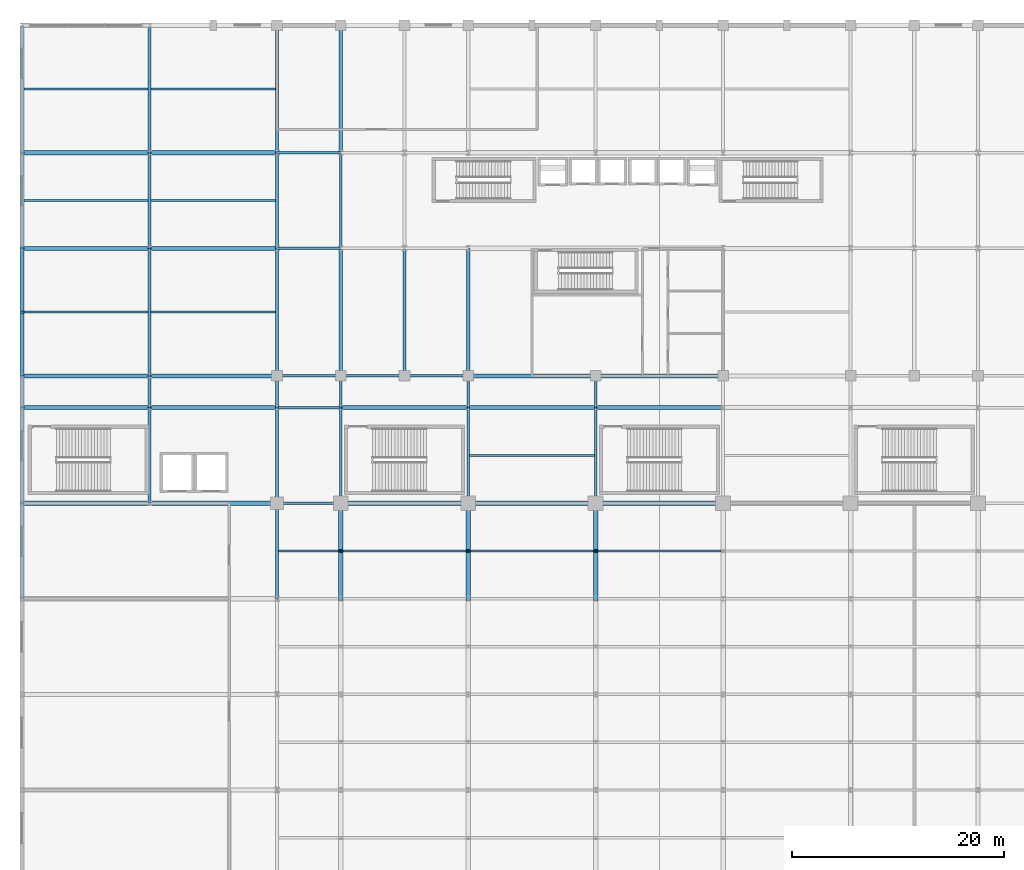
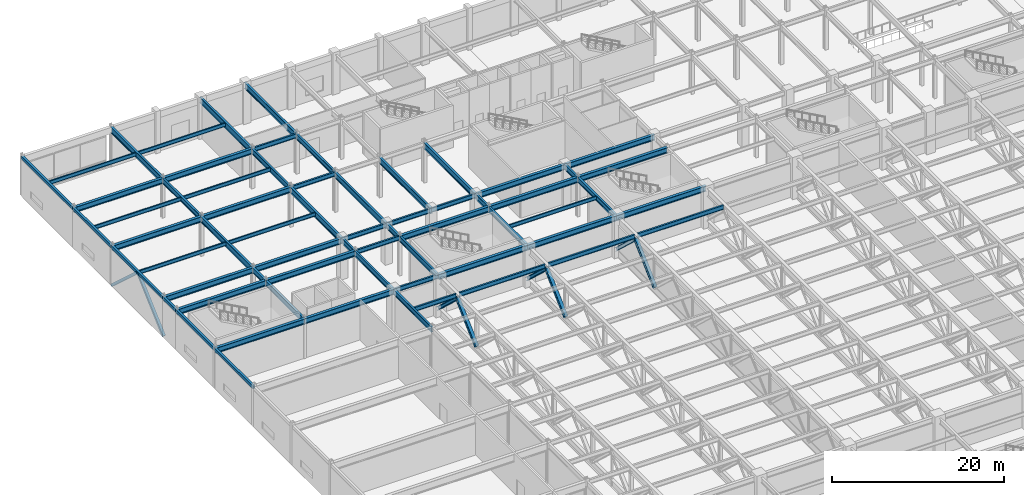
# One storey, part 42 of 108: 64 beams, 8 members.
"""IFC4 building model written with IfcOpenShell, lengths in metres."""

from ifc_helpers import new_model, si_unit, direction, frame, origin, origin_2d, place, context, subcontext, project, spatial, hollow_rectangle, i_section, extrude, material, material_profile, profile_set, type_object, element, save


model = new_model("IFC4")

# Units and contexts
model_context = context("Model", 3, precision=1e-05, world=origin(), true_north=direction((0.0, 1.0)))
body_context = subcontext(model_context, "Body", "Model", "MODEL_VIEW")
ifc_project = project(units=[si_unit("LENGTHUNIT", "METRE"), si_unit("AREAUNIT", "SQUARE_METRE"), si_unit("VOLUMEUNIT", "CUBIC_METRE"), si_unit("PLANEANGLEUNIT", "RADIAN"), si_unit("MASSUNIT", "GRAM", prefix="KILO")], contexts=[model_context])

# Site, building, storey
site_placement = place(None, origin())
site = spatial("IfcSite", under=ifc_project, at=site_placement, CompositionType="ELEMENT")
building_placement = place(site_placement, origin())
building = spatial("IfcBuilding", under=site, at=building_placement, Name="Kaldorvane Square Convention Centre", CompositionType="ELEMENT")
storey_placement = place(building_placement, frame((0.0, 0.0, 12.0)))
storey = spatial("IfcBuildingStorey", under=building, at=storey_placement, Name="L02", CompositionType="ELEMENT", Elevation=12.0)

# Beams
ifc_material_1 = material(Name="Steel ASTM A992 Gr. 50", Category="steel")
ifc_material_profile_1 = material_profile(ifc_material_1, i_section(OverallWidth=0.2303009033203125, OverallDepth=0.61749267578125, WebThickness=0.0131072998046875, FlangeThickness=0.0222015380859375, FilletRadius=0.0126953125, at=origin_2d()), Name="W24X94")
ifc_profile_set_1 = profile_set([ifc_material_profile_1], Name="Steel ASTM A992 Gr. 50")
beam_type_1 = type_object("IfcBeamType", Name="BM-GR-W24X94", PredefinedType="BEAM", material=ifc_profile_set_1)
for number, where, z_axis, x_axis, name in (
    (1, (24.0, 72.0, 5.3372039794921875), (1.0, 0.0, 0.0), (0.0, 1.0, 0.0), "Primary Girder (L02)"),
    (2, (24.0, 81.0, 5.3372039794921875), (1.0, 0.0, 0.0), (0.0, 1.0, 0.0), "Primary Girder (L02)"),
    (3, (24.0, 84.0, 5.3372039794921875), (1.0, 0.0, 0.0), (0.0, 1.0, 0.0), "Primary Girder (L02)"),
    (4, (30.0, 84.0, 5.3372039794921875), (1.0, 0.0, 0.0), (0.0, 1.0, 0.0), "Primary Girder (L02)"),
    (5, (36.0, 84.0, 5.3372039794921875), (1.0, 0.0, 0.0), (0.0, 1.0, 0.0), "Primary Girder (L02)"),
    (6, (24.0, 96.0, 5.3372039794921875), (1.0, 0.0, 0.0), (0.0, 1.0, 0.0), "Primary Girder (L02)"),
    (7, (24.0, 105.0, 5.3372039794921875), (1.0, 0.0, 0.0), (0.0, 1.0, 0.0), "Primary Girder (L02)"),
):
    element("IfcBeam", number, at=place(storey_placement, frame(where, z_axis=z_axis, x_axis=x_axis)), inside=storey, type_object=beam_type_1, Name=name, PredefinedType="BEAM", context=body_context, shape_type="SweptSolid", body=[
        extrude(i_section(OverallWidth=0.2303009033203125, OverallDepth=0.61749267578125, WebThickness=0.0131072998046875, FlangeThickness=0.0222015380859375, FilletRadius=0.0126953125, at=origin_2d()), origin(), (0.0, 0.0, 1.0), 6.0),
    ])
ifc_material_profile_2 = material_profile(ifc_material_1, i_section(OverallWidth=0.2666015625, OverallDepth=0.762298583984375, WebThickness=0.014404296875, FlangeThickness=0.0216064453125, FilletRadius=0.0164947509765625, at=origin_2d()), Name="W30X116")
ifc_profile_set_2 = profile_set([ifc_material_profile_2], Name="Steel ASTM A992 Gr. 50")
beam_type_2 = type_object("IfcBeamType", Name="BM-GR-W30X116", PredefinedType="BEAM", material=ifc_profile_set_2)
beam_1_placement = place(storey_placement, frame((12.0, 72.0, 5.264801025390625), z_axis=(0.0, 1.0, 0.0), x_axis=(-1.0, 0.0, 0.0)))
element("IfcBeam", 8, at=beam_1_placement, inside=storey, type_object=beam_type_2, Name="Transverse Girder (L02)", PredefinedType="BEAM", context=body_context, shape_type="SweptSolid", body=[
    extrude(i_section(OverallWidth=0.2666015625, OverallDepth=0.762298583984375, WebThickness=0.014404296875, FlangeThickness=0.0216064453125, FilletRadius=0.0164947509765625, at=origin_2d()), origin(), (0.0, 0.0, 1.0), 9.0),
])
beam_2_placement = place(storey_placement, frame((12.0, 81.0, 5.264801025390625), z_axis=(0.0, 1.0, 0.0), x_axis=(-1.0, 0.0, 0.0)))
element("IfcBeam", 9, at=beam_2_placement, inside=storey, type_object=beam_type_2, Name="Transverse Girder (L02)", PredefinedType="BEAM", context=body_context, shape_type="SweptSolid", body=[
    extrude(i_section(OverallWidth=0.2666015625, OverallDepth=0.762298583984375, WebThickness=0.014404296875, FlangeThickness=0.0216064453125, FilletRadius=0.0164947509765625, at=origin_2d()), origin(), (0.0, 0.0, 1.0), 3.0),
])
for number, where, z_axis, x_axis, name in (
    (10, (12.0, 96.0, 5.264801025390625), (0.0, 1.0, 0.0), (-1.0, 0.0, 0.0), "Transverse Girder (L02)"),
    (11, (24.0, 63.0, 5.264801025390625), (0.0, 1.0, 0.0), (-1.0, 0.0, 0.0), "Transverse Girder (L02)"),
    (12, (24.0, 72.0, 5.264801025390625), (0.0, 1.0, 0.0), (-1.0, 0.0, 0.0), "Transverse Girder (L02)"),
):
    element("IfcBeam", number, at=place(storey_placement, frame(where, z_axis=z_axis, x_axis=x_axis)), inside=storey, type_object=beam_type_2, Name=name, PredefinedType="BEAM", context=body_context, shape_type="SweptSolid", body=[
        extrude(i_section(OverallWidth=0.2666015625, OverallDepth=0.762298583984375, WebThickness=0.014404296875, FlangeThickness=0.0216064453125, FilletRadius=0.0164947509765625, at=origin_2d()), origin(), (0.0, 0.0, 1.0), 9.0),
    ])
beam_3_placement = place(storey_placement, frame((24.0, 81.0, 5.264801025390625), z_axis=(0.0, 1.0, 0.0), x_axis=(-1.0, 0.0, 0.0)))
element("IfcBeam", 13, at=beam_3_placement, inside=storey, type_object=beam_type_2, Name="Transverse Girder (L02)", PredefinedType="BEAM", context=body_context, shape_type="SweptSolid", body=[
    extrude(i_section(OverallWidth=0.2666015625, OverallDepth=0.762298583984375, WebThickness=0.014404296875, FlangeThickness=0.0216064453125, FilletRadius=0.0164947509765625, at=origin_2d()), origin(), (0.0, 0.0, 1.0), 3.0),
])
for number, where, z_axis, x_axis, name in (
    (14, (24.0, 96.0, 5.264801025390625), (0.0, 1.0, 0.0), (-1.0, 0.0, 0.0), "Transverse Girder (L02)"),
    (15, (30.0, 72.0, 5.264801025390625), (0.0, 1.0, 0.0), (-1.0, 0.0, 0.0), "Transverse Girder (L02)"),
):
    element("IfcBeam", number, at=place(storey_placement, frame(where, z_axis=z_axis, x_axis=x_axis)), inside=storey, type_object=beam_type_2, Name=name, PredefinedType="BEAM", context=body_context, shape_type="SweptSolid", body=[
        extrude(i_section(OverallWidth=0.2666015625, OverallDepth=0.762298583984375, WebThickness=0.014404296875, FlangeThickness=0.0216064453125, FilletRadius=0.0164947509765625, at=origin_2d()), origin(), (0.0, 0.0, 1.0), 9.0),
    ])
beam_4_placement = place(storey_placement, frame((30.0, 81.0, 5.264801025390625), z_axis=(0.0, 1.0, 0.0), x_axis=(-1.0, 0.0, 0.0)))
element("IfcBeam", 16, at=beam_4_placement, inside=storey, type_object=beam_type_2, Name="Transverse Girder (L02)", PredefinedType="BEAM", context=body_context, shape_type="SweptSolid", body=[
    extrude(i_section(OverallWidth=0.2666015625, OverallDepth=0.762298583984375, WebThickness=0.014404296875, FlangeThickness=0.0216064453125, FilletRadius=0.0164947509765625, at=origin_2d()), origin(), (0.0, 0.0, 1.0), 3.0),
])
for number, where, z_axis, x_axis, name in (
    (17, (30.0, 96.0, 5.264801025390625), (0.0, 1.0, 0.0), (-1.0, 0.0, 0.0), "Transverse Girder (L02)"),
    (18, (42.0, 72.0, 5.264801025390625), (0.0, 1.0, 0.0), (-1.0, 0.0, 0.0), "Transverse Girder (L02)"),
):
    element("IfcBeam", number, at=place(storey_placement, frame(where, z_axis=z_axis, x_axis=x_axis)), inside=storey, type_object=beam_type_2, Name=name, PredefinedType="BEAM", context=body_context, shape_type="SweptSolid", body=[
        extrude(i_section(OverallWidth=0.2666015625, OverallDepth=0.762298583984375, WebThickness=0.014404296875, FlangeThickness=0.0216064453125, FilletRadius=0.0164947509765625, at=origin_2d()), origin(), (0.0, 0.0, 1.0), 9.0),
    ])
beam_5_placement = place(storey_placement, frame((42.0, 81.0, 5.264801025390625), z_axis=(0.0, 1.0, 0.0), x_axis=(-1.0, 0.0, 0.0)))
element("IfcBeam", 19, at=beam_5_placement, inside=storey, type_object=beam_type_2, Name="Transverse Girder (L02)", PredefinedType="BEAM", context=body_context, shape_type="SweptSolid", body=[
    extrude(i_section(OverallWidth=0.2666015625, OverallDepth=0.762298583984375, WebThickness=0.014404296875, FlangeThickness=0.0216064453125, FilletRadius=0.0164947509765625, at=origin_2d()), origin(), (0.0, 0.0, 1.0), 3.0),
])
beam_6_placement = place(storey_placement, frame((54.0, 72.0, 5.264801025390625), z_axis=(0.0, 1.0, 0.0), x_axis=(-1.0, 0.0, 0.0)))
element("IfcBeam", 20, at=beam_6_placement, inside=storey, type_object=beam_type_2, Name="Transverse Girder (L02)", PredefinedType="BEAM", context=body_context, shape_type="SweptSolid", body=[
    extrude(i_section(OverallWidth=0.2666015625, OverallDepth=0.762298583984375, WebThickness=0.014404296875, FlangeThickness=0.0216064453125, FilletRadius=0.0164947509765625, at=origin_2d()), origin(), (0.0, 0.0, 1.0), 9.0),
])
beam_7_placement = place(storey_placement, frame((54.0, 81.0, 5.264801025390625), z_axis=(0.0, 1.0, 0.0), x_axis=(-1.0, 0.0, 0.0)))
element("IfcBeam", 21, at=beam_7_placement, inside=storey, type_object=beam_type_2, Name="Transverse Girder (L02)", PredefinedType="BEAM", context=body_context, shape_type="SweptSolid", body=[
    extrude(i_section(OverallWidth=0.2666015625, OverallDepth=0.762298583984375, WebThickness=0.014404296875, FlangeThickness=0.0216064453125, FilletRadius=0.0164947509765625, at=origin_2d()), origin(), (0.0, 0.0, 1.0), 3.0),
])
ifc_material_profile_3 = material_profile(ifc_material_1, i_section(OverallWidth=0.380706787109375, OverallDepth=0.773193359375, WebThickness=0.0166015625, FlangeThickness=0.027099609375, FilletRadius=0.0164947509765625, at=origin_2d()), Name="W30X173")
ifc_profile_set_3 = profile_set([ifc_material_profile_3], Name="Steel ASTM A992 Gr. 50")
beam_type_3 = type_object("IfcBeamType", Name="BM-GR-W30X173", PredefinedType="BEAM", material=ifc_profile_set_3)
for number, where, z_axis, x_axis, name in (
    (22, (0.0, 72.0, 5.2593994140625), (1.0, 0.0, 0.0), (0.0, 1.0, 0.0), "Primary Girder (L02)"),
    (23, (12.0, 72.0, 5.2593994140625), (1.0, 0.0, 0.0), (0.0, 1.0, 0.0), "Primary Girder (L02)"),
    (24, (30.0, 72.0, 5.2593994140625), (1.0, 0.0, 0.0), (0.0, 1.0, 0.0), "Primary Girder (L02)"),
    (25, (42.0, 72.0, 5.2593994140625), (1.0, 0.0, 0.0), (0.0, 1.0, 0.0), "Primary Girder (L02)"),
    (26, (54.0, 72.0, 5.2593994140625), (1.0, 0.0, 0.0), (0.0, 1.0, 0.0), "Primary Girder (L02)"),
    (27, (0.0, 81.0, 5.2593994140625), (1.0, 0.0, 0.0), (0.0, 1.0, 0.0), "Primary Girder (L02)"),
    (28, (12.0, 81.0, 5.2593994140625), (1.0, 0.0, 0.0), (0.0, 1.0, 0.0), "Primary Girder (L02)"),
    (29, (30.0, 81.0, 5.2593994140625), (1.0, 0.0, 0.0), (0.0, 1.0, 0.0), "Primary Girder (L02)"),
    (30, (42.0, 81.0, 5.2593994140625), (1.0, 0.0, 0.0), (0.0, 1.0, 0.0), "Primary Girder (L02)"),
    (31, (54.0, 81.0, 5.2593994140625), (1.0, 0.0, 0.0), (0.0, 1.0, 0.0), "Primary Girder (L02)"),
    (32, (0.0, 84.0, 5.2593994140625), (1.0, 0.0, 0.0), (0.0, 1.0, 0.0), "Primary Girder (L02)"),
    (33, (12.0, 84.0, 5.2593994140625), (1.0, 0.0, 0.0), (0.0, 1.0, 0.0), "Primary Girder (L02)"),
    (34, (42.0, 84.0, 5.2593994140625), (1.0, 0.0, 0.0), (0.0, 1.0, 0.0), "Primary Girder (L02)"),
    (35, (54.0, 84.0, 5.2593994140625), (1.0, 0.0, 0.0), (0.0, 1.0, 0.0), "Primary Girder (L02)"),
    (36, (0.0, 96.0, 5.2593994140625), (1.0, 0.0, 0.0), (0.0, 1.0, 0.0), "Primary Girder (L02)"),
    (37, (12.0, 96.0, 5.2593994140625), (1.0, 0.0, 0.0), (0.0, 1.0, 0.0), "Primary Girder (L02)"),
    (38, (0.0, 105.0, 5.2593994140625), (1.0, 0.0, 0.0), (0.0, 1.0, 0.0), "Primary Girder (L02)"),
    (39, (12.0, 105.0, 5.2593994140625), (1.0, 0.0, 0.0), (0.0, 1.0, 0.0), "Primary Girder (L02)"),
):
    element("IfcBeam", number, at=place(storey_placement, frame(where, z_axis=z_axis, x_axis=x_axis)), inside=storey, type_object=beam_type_3, Name=name, PredefinedType="BEAM", context=body_context, shape_type="SweptSolid", body=[
        extrude(i_section(OverallWidth=0.380706787109375, OverallDepth=0.773193359375, WebThickness=0.0166015625, FlangeThickness=0.027099609375, FilletRadius=0.0164947509765625, at=origin_2d()), origin(), (0.0, 0.0, 1.0), 12.0),
    ])
ifc_material_profile_4 = material_profile(ifc_material_1, i_section(OverallWidth=0.292999267578125, OverallDepth=0.845794677734375, WebThickness=0.0153961181640625, FlangeThickness=0.0243988037109375, FilletRadius=0.0178070068359375, at=origin_2d()), Name="W33X141")
ifc_profile_set_4 = profile_set([ifc_material_profile_4], Name="Steel ASTM A992 Gr. 50")
beam_type_4 = type_object("IfcBeamType", Name="BM-GR-W33X141", PredefinedType="BEAM", material=ifc_profile_set_4)
for number, where, z_axis, x_axis, name in (
    (40, (12.0, 84.0, 5.2230987548828125), (0.0, 1.0, 0.0), (-1.0, 0.0, 0.0), "Transverse Girder (L02)"),
    (41, (12.0, 105.0, 5.2230987548828125), (0.0, 1.0, 0.0), (-1.0, 0.0, 0.0), "Transverse Girder (L02)"),
    (42, (24.0, 84.0, 5.2230987548828125), (0.0, 1.0, 0.0), (-1.0, 0.0, 0.0), "Transverse Girder (L02)"),
    (43, (24.0, 105.0, 5.2230987548828125), (0.0, 1.0, 0.0), (-1.0, 0.0, 0.0), "Transverse Girder (L02)"),
    (44, (30.0, 84.0, 5.2230987548828125), (0.0, 1.0, 0.0), (-1.0, 0.0, 0.0), "Transverse Girder (L02)"),
    (45, (30.0, 105.0, 5.2230987548828125), (0.0, 1.0, 0.0), (-1.0, 0.0, 0.0), "Transverse Girder (L02)"),
    (46, (36.0, 84.0, 5.2230987548828125), (0.0, 1.0, 0.0), (-1.0, 0.0, 0.0), "Transverse Girder (L02)"),
    (47, (42.0, 84.0, 5.2230987548828125), (0.0, 1.0, 0.0), (-1.0, 0.0, 0.0), "Transverse Girder (L02)"),
):
    element("IfcBeam", number, at=place(storey_placement, frame(where, z_axis=z_axis, x_axis=x_axis)), inside=storey, type_object=beam_type_4, Name=name, PredefinedType="BEAM", context=body_context, shape_type="SweptSolid", body=[
        extrude(i_section(OverallWidth=0.292999267578125, OverallDepth=0.845794677734375, WebThickness=0.0153961181640625, FlangeThickness=0.0243988037109375, FilletRadius=0.0178070068359375, at=origin_2d()), origin(), (0.0, 0.0, 1.0), 12.0),
    ])
ifc_material_profile_5 = material_profile(ifc_material_1, i_section(OverallWidth=0.1658935546875, OverallDepth=0.5290985107421875, WebThickness=0.00970458984375, FlangeThickness=0.0135955810546875, FilletRadius=0.0126953125, at=origin_2d()), Name="W21X50")
ifc_profile_set_5 = profile_set([ifc_material_profile_5], Name="Steel ASTM A992 Gr. 50")
beam_type_5 = type_object("IfcBeamType", Name="BM-JS-W21X50", PredefinedType="JOIST", material=ifc_profile_set_5)
beam_8_placement = place(storey_placement, frame((42.13330078125, 76.5, 5.3813934326171875), z_axis=(1.0, 0.0, 0.0), x_axis=(0.0, 1.0, 0.0)))
element("IfcBeam", 48, at=beam_8_placement, inside=storey, type_object=beam_type_5, Name="Secondary Floor Joist (L02)", PredefinedType="JOIST", context=body_context, shape_type="SweptSolid", body=[
    extrude(i_section(OverallWidth=0.1658935546875, OverallDepth=0.5290985107421875, WebThickness=0.00970458984375, FlangeThickness=0.0135955810546875, FilletRadius=0.0126953125, at=origin_2d()), origin(), (0.0, 0.0, 1.0), 11.7333984375),
])
beam_9_placement = place(storey_placement, frame((0.15240478515625, 90.0, 5.3813934326171875), z_axis=(1.0, 0.0, 0.0), x_axis=(0.0, 1.0, 0.0)))
element("IfcBeam", 49, at=beam_9_placement, inside=storey, type_object=beam_type_5, Name="Secondary Floor Joist (L02)", PredefinedType="JOIST", context=body_context, shape_type="SweptSolid", body=[
    extrude(i_section(OverallWidth=0.1658935546875, OverallDepth=0.5290985107421875, WebThickness=0.00970458984375, FlangeThickness=0.0135955810546875, FilletRadius=0.0126953125, at=origin_2d()), origin(), (0.0, 0.0, 1.0), 11.701095581054688),
])
beam_10_placement = place(storey_placement, frame((12.146499633789062, 90.0, 5.3813934326171875), z_axis=(1.0, 0.0, 0.0), x_axis=(0.0, 1.0, 0.0)))
element("IfcBeam", 50, at=beam_10_placement, inside=storey, type_object=beam_type_5, Name="Secondary Floor Joist (L02)", PredefinedType="JOIST", context=body_context, shape_type="SweptSolid", body=[
    extrude(i_section(OverallWidth=0.1658935546875, OverallDepth=0.5290985107421875, WebThickness=0.00970458984375, FlangeThickness=0.0135955810546875, FilletRadius=0.0126953125, at=origin_2d()), origin(), (0.0, 0.0, 1.0), 11.707000732421875),
])
beam_11_placement = place(storey_placement, frame((0.15240478515625, 100.5, 5.3813934326171875), z_axis=(1.0, 0.0, 0.0), x_axis=(0.0, 1.0, 0.0)))
element("IfcBeam", 51, at=beam_11_placement, inside=storey, type_object=beam_type_5, Name="Secondary Floor Joist (L02)", PredefinedType="JOIST", context=body_context, shape_type="SweptSolid", body=[
    extrude(i_section(OverallWidth=0.1658935546875, OverallDepth=0.5290985107421875, WebThickness=0.00970458984375, FlangeThickness=0.0135955810546875, FilletRadius=0.0126953125, at=origin_2d()), origin(), (0.0, 0.0, 1.0), 11.71429443359375),
])
beam_12_placement = place(storey_placement, frame((12.13330078125, 100.5, 5.3813934326171875), z_axis=(1.0, 0.0, 0.0), x_axis=(0.0, 1.0, 0.0)))
element("IfcBeam", 52, at=beam_12_placement, inside=storey, type_object=beam_type_5, Name="Secondary Floor Joist (L02)", PredefinedType="JOIST", context=body_context, shape_type="SweptSolid", body=[
    extrude(i_section(OverallWidth=0.1658935546875, OverallDepth=0.5290985107421875, WebThickness=0.00970458984375, FlangeThickness=0.0135955810546875, FilletRadius=0.0126953125, at=origin_2d()), origin(), (0.0, 0.0, 1.0), 11.7333984375),
])
beam_13_placement = place(storey_placement, frame((0.15240478515625, 111.0, 5.3813934326171875), z_axis=(1.0, 0.0, 0.0), x_axis=(0.0, 1.0, 0.0)))
element("IfcBeam", 53, at=beam_13_placement, inside=storey, type_object=beam_type_5, Name="Secondary Floor Joist (L02)", PredefinedType="JOIST", context=body_context, shape_type="SweptSolid", body=[
    extrude(i_section(OverallWidth=0.1658935546875, OverallDepth=0.5290985107421875, WebThickness=0.00970458984375, FlangeThickness=0.0135955810546875, FilletRadius=0.0126953125, at=origin_2d()), origin(), (0.0, 0.0, 1.0), 11.701095581054688),
])
beam_14_placement = place(storey_placement, frame((12.146499633789062, 111.0, 5.3813934326171875), z_axis=(1.0, 0.0, 0.0), x_axis=(0.0, 1.0, 0.0)))
element("IfcBeam", 54, at=beam_14_placement, inside=storey, type_object=beam_type_5, Name="Secondary Floor Joist (L02)", PredefinedType="JOIST", context=body_context, shape_type="SweptSolid", body=[
    extrude(i_section(OverallWidth=0.1658935546875, OverallDepth=0.5290985107421875, WebThickness=0.00970458984375, FlangeThickness=0.0135955810546875, FilletRadius=0.0126953125, at=origin_2d()), origin(), (0.0, 0.0, 1.0), 11.707000732421875),
])
ifc_material_profile_6 = material_profile(ifc_material_1, i_section(OverallWidth=0.2277069091796875, OverallDepth=0.6027069091796875, WebThickness=0.010498046875, FlangeThickness=0.014892578125, FilletRadius=0.0126953125, at=origin_2d()), Name="W24X68")
ifc_profile_set_6 = profile_set([ifc_material_profile_6], Name="Steel ASTM A992 Gr. 50")
beam_type_6 = type_object("IfcBeamType", Name="BM-JS-W24X68", PredefinedType="JOIST", material=ifc_profile_set_6)
beam_15_placement = place(storey_placement, frame((24.13330078125, 67.5, 5.3446044921875), z_axis=(1.0, 0.0, 0.0), x_axis=(0.0, 1.0, 0.0)))
element("IfcBeam", 55, at=beam_15_placement, inside=storey, type_object=beam_type_6, Name="Hall Composite Floor Joist (L02)", PredefinedType="JOIST", context=body_context, shape_type="SweptSolid", body=[
    extrude(i_section(OverallWidth=0.2277069091796875, OverallDepth=0.6027069091796875, WebThickness=0.010498046875, FlangeThickness=0.014892578125, FilletRadius=0.0126953125, at=origin_2d()), origin(), (0.0, 0.0, 1.0), 5.661895751953125),
])
beam_16_placement = place(storey_placement, frame((30.204803466796875, 67.5, 5.3446044921875), z_axis=(1.0, 0.0, 0.0), x_axis=(0.0, 1.0, 0.0)))
element("IfcBeam", 56, at=beam_16_placement, inside=storey, type_object=beam_type_6, Name="Hall Composite Floor Joist (L02)", PredefinedType="JOIST", context=body_context, shape_type="SweptSolid", body=[
    extrude(i_section(OverallWidth=0.2277069091796875, OverallDepth=0.6027069091796875, WebThickness=0.010498046875, FlangeThickness=0.014892578125, FilletRadius=0.0126953125, at=origin_2d()), origin(), (0.0, 0.0, 1.0), 11.59039306640625),
])
beam_17_placement = place(storey_placement, frame((42.204803466796875, 67.5, 5.3446044921875), z_axis=(1.0, 0.0, 0.0), x_axis=(0.0, 1.0, 0.0)))
element("IfcBeam", 57, at=beam_17_placement, inside=storey, type_object=beam_type_6, Name="Hall Composite Floor Joist (L02)", PredefinedType="JOIST", context=body_context, shape_type="SweptSolid", body=[
    extrude(i_section(OverallWidth=0.2277069091796875, OverallDepth=0.6027069091796875, WebThickness=0.010498046875, FlangeThickness=0.014892578125, FilletRadius=0.0126953125, at=origin_2d()), origin(), (0.0, 0.0, 1.0), 11.592697143554688),
])
beam_18_placement = place(storey_placement, frame((54.20249938964844, 67.5, 5.3446044921875), z_axis=(1.0, 0.0, 0.0), x_axis=(0.0, 1.0, 0.0)))
element("IfcBeam", 58, at=beam_18_placement, inside=storey, type_object=beam_type_6, Name="Hall Composite Floor Joist (L02)", PredefinedType="JOIST", context=body_context, shape_type="SweptSolid", body=[
    extrude(i_section(OverallWidth=0.2277069091796875, OverallDepth=0.6027069091796875, WebThickness=0.010498046875, FlangeThickness=0.014892578125, FilletRadius=0.0126953125, at=origin_2d()), origin(), (0.0, 0.0, 1.0), 11.595001220703125),
])
ifc_material_2 = material(Name="Steel ASTM A500 Gr. C", Category="steel")
ifc_material_profile_7 = material_profile(ifc_material_2, hollow_rectangle(XDim=0.3047943115234375, YDim=0.406402587890625, WallThickness=0.0117950439453125, at=origin_2d()), Name="HSS16X12X1/2")
ifc_profile_set_7 = profile_set([ifc_material_profile_7], Name="Steel ASTM A500 Gr. C")
beam_type_7 = type_object("IfcBeamType", Name="BM-SP-HSS16", PredefinedType="SPANDREL", material=ifc_profile_set_7)
for number, where, z_axis, x_axis, name in (
    (59, (0.0, 63.0, 5.4427947998046875), (0.0, 1.0, 0.0), (-1.0, 0.0, 0.0), "End Spandrel (L02)"),
    (60, (0.0, 72.0, 5.4427947998046875), (0.0, 1.0, 0.0), (-1.0, 0.0, 0.0), "End Spandrel (L02)"),
):
    element("IfcBeam", number, at=place(storey_placement, frame(where, z_axis=z_axis, x_axis=x_axis)), inside=storey, type_object=beam_type_7, Name=name, PredefinedType="SPANDREL", context=body_context, shape_type="SweptSolid", body=[
        extrude(hollow_rectangle(XDim=0.3047943115234375, YDim=0.406402587890625, WallThickness=0.0117950439453125, at=origin_2d()), origin(), (0.0, 0.0, 1.0), 9.0),
    ])
beam_19_placement = place(storey_placement, frame((0.0, 81.0, 5.4427947998046875), z_axis=(0.0, 1.0, 0.0), x_axis=(-1.0, 0.0, 0.0)))
element("IfcBeam", 61, at=beam_19_placement, inside=storey, type_object=beam_type_7, Name="End Spandrel (L02)", PredefinedType="SPANDREL", context=body_context, shape_type="SweptSolid", body=[
    extrude(hollow_rectangle(XDim=0.3047943115234375, YDim=0.406402587890625, WallThickness=0.0117950439453125, at=origin_2d()), origin(), (0.0, 0.0, 1.0), 3.0),
])
beam_20_placement = place(storey_placement, frame((0.0, 84.0, 5.4427947998046875), z_axis=(0.0, 1.0, 0.0), x_axis=(-1.0, 0.0, 0.0)))
element("IfcBeam", 62, at=beam_20_placement, inside=storey, type_object=beam_type_7, Name="End Spandrel (L02)", PredefinedType="SPANDREL", context=body_context, shape_type="SweptSolid", body=[
    extrude(hollow_rectangle(XDim=0.3047943115234375, YDim=0.406402587890625, WallThickness=0.0117950439453125, at=origin_2d()), origin(), (0.0, 0.0, 1.0), 12.0),
])
beam_21_placement = place(storey_placement, frame((0.0, 96.0, 5.4427947998046875), z_axis=(0.0, 1.0, 0.0), x_axis=(-1.0, 0.0, 0.0)))
element("IfcBeam", 63, at=beam_21_placement, inside=storey, type_object=beam_type_7, Name="End Spandrel (L02)", PredefinedType="SPANDREL", context=body_context, shape_type="SweptSolid", body=[
    extrude(hollow_rectangle(XDim=0.3047943115234375, YDim=0.406402587890625, WallThickness=0.0117950439453125, at=origin_2d()), origin(), (0.0, 0.0, 1.0), 9.0),
])
beam_22_placement = place(storey_placement, frame((0.0, 105.0, 5.4427947998046875), z_axis=(0.0, 1.0, 0.0), x_axis=(-1.0, 0.0, 0.0)))
element("IfcBeam", 64, at=beam_22_placement, inside=storey, type_object=beam_type_7, Name="End Spandrel (L02)", PredefinedType="SPANDREL", context=body_context, shape_type="SweptSolid", body=[
    extrude(hollow_rectangle(XDim=0.3047943115234375, YDim=0.406402587890625, WallThickness=0.0117950439453125, at=origin_2d()), origin(), (0.0, 0.0, 1.0), 12.0),
])

# Members
ifc_material_profile_8 = material_profile(ifc_material_2, hollow_rectangle(XDim=0.3556060791015625, YDim=0.3556060791015625, WallThickness=0.0117950439453125, at=origin_2d()), Name="HSS14X14X1/2")
ifc_profile_set_8 = profile_set([ifc_material_profile_8], Name="Steel ASTM A500 Gr. C")
member_type_1 = type_object("IfcMemberType", Name="MB-BR-HSS14", PredefinedType="BRACE", material=ifc_profile_set_8)
for number, where, z_axis, x_axis, name in (
    (65, (0.0, 84.0, 0.0), (0.0, 0.740661637015, 0.671878217726), (-1.0, 0.0, 0.0), "Seismic Chevron Brace X0-B2A (L02)"),
    (66, (0.0, 96.0, 0.0), (0.0, -0.740661637015, 0.671878217726), (1.0, 0.0, 0.0), "Seismic Chevron Brace X0-B2B (L02)"),
):
    element("IfcMember", number, at=place(storey_placement, frame(where, z_axis=z_axis, x_axis=x_axis)), inside=storey, type_object=member_type_1, Name=name, PredefinedType="BRACE", context=body_context, shape_type="SweptSolid", body=[
        extrude(hollow_rectangle(XDim=0.3556060791015625, YDim=0.3556060791015625, WallThickness=0.0117950439453125, at=origin_2d()), origin(), (0.0, 0.0, 1.0), 8.100860595703125),
    ])
ifc_material_profile_9 = material_profile(ifc_material_1, i_section(OverallWidth=0.4214019775390625, OverallDepth=0.4647979736328125, WebThickness=0.0449981689453125, FlangeThickness=0.072296142578125, FilletRadius=0.0305023193359375, at=origin_2d()), Name="W14X398")
ifc_profile_set_9 = profile_set([ifc_material_profile_9], Name="Steel ASTM A992 Gr. 50")
member_type_2 = type_object("IfcMemberType", Name="MB-BR-W14X398", PredefinedType="BRACE", material=ifc_profile_set_9)
for number, where, z_axis, x_axis, name in (
    (67, (30.0, 63.0, 0.7299957275390625), (0.0, 0.731436442842, 0.681909620172), (-1.0, 0.0, 0.0), "Transfer Truss TT-01 Web Diagonal 6A"),
    (68, (30.0, 67.5, 4.92529296875), (0.0, 0.731436442842, -0.681909620172), (-1.0, 0.0, 0.0), "Transfer Truss TT-01 Web Diagonal 6B"),
    (69, (42.0, 63.0, 0.7299957275390625), (0.0, 0.731436442842, 0.681909620172), (-1.0, 0.0, 0.0), "Transfer Truss TT-02 Web Diagonal 6A"),
    (70, (42.0, 67.5, 4.92529296875), (0.0, 0.731436442842, -0.681909620172), (-1.0, 0.0, 0.0), "Transfer Truss TT-02 Web Diagonal 6B"),
    (71, (54.0, 63.0, 0.7299957275390625), (0.0, 0.731436442842, 0.681909620172), (-1.0, 0.0, 0.0), "Transfer Truss TT-03 Web Diagonal 6A"),
    (72, (54.0, 67.5, 4.92529296875), (0.0, 0.731436442842, -0.681909620172), (-1.0, 0.0, 0.0), "Transfer Truss TT-03 Web Diagonal 6B"),
):
    element("IfcMember", number, at=place(storey_placement, frame(where, z_axis=z_axis, x_axis=x_axis)), inside=storey, type_object=member_type_2, Name=name, PredefinedType="BRACE", context=body_context, shape_type="SweptSolid", body=[
        extrude(i_section(OverallWidth=0.4214019775390625, OverallDepth=0.4647979736328125, WebThickness=0.0449981689453125, FlangeThickness=0.072296142578125, FilletRadius=0.0305023193359375, at=origin_2d()), origin(), (0.0, 0.0, 1.0), 6.15228271484375),
    ])

save(model, "model.ifc")
